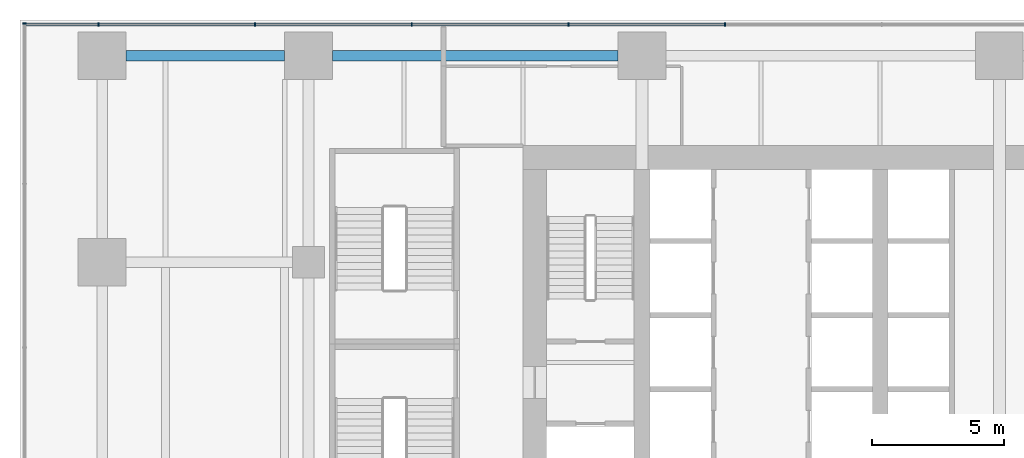
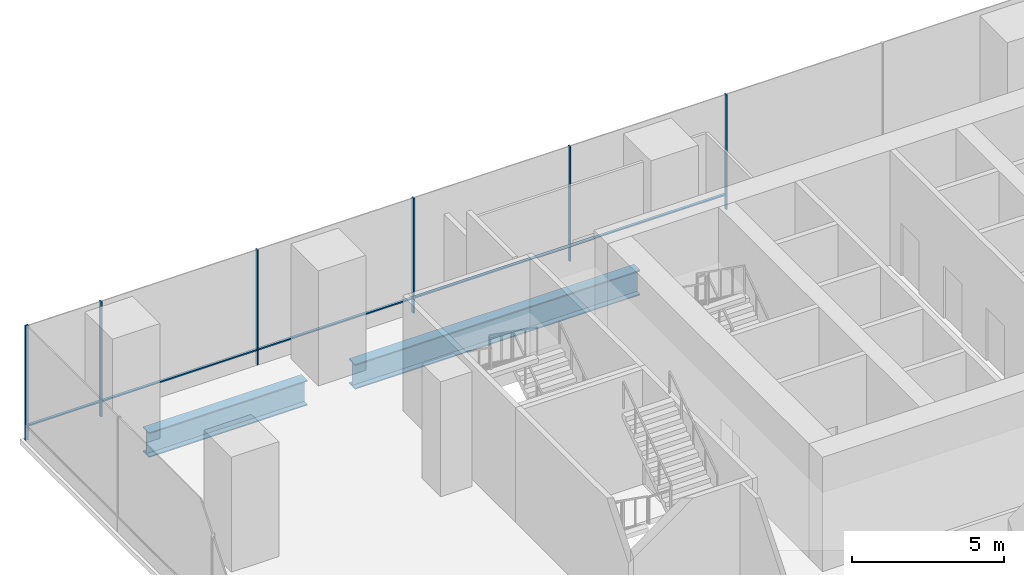
# One storey, part 11 of 28: 11 members, 2 beams, 2 elements without a shape of their own.
"""IFC4 building model written with IfcOpenShell, lengths in metres."""

from ifc_helpers import new_model, si_unit, direction, frame, origin, origin_2d, place, context, subcontext, project, spatial, rectangle, i_section, extrude, material, layer, layer_set, material_profile, profile_set, type_object, element, aggregate, save


model = new_model("IFC4")

# Units and contexts
model_context = context("Model", 3, precision=1e-05, world=origin(), true_north=direction((0.0, 1.0)))
body_context = subcontext(model_context, "Body", "Model", "MODEL_VIEW")
ifc_project = project(units=[si_unit("LENGTHUNIT", "METRE"), si_unit("AREAUNIT", "SQUARE_METRE"), si_unit("VOLUMEUNIT", "CUBIC_METRE"), si_unit("PLANEANGLEUNIT", "RADIAN"), si_unit("MASSUNIT", "GRAM", prefix="KILO")], contexts=[model_context])

# Site, building, storey
site_placement = place(None, origin())
site = spatial("IfcSite", under=ifc_project, at=site_placement, CompositionType="ELEMENT")
building_placement = place(site_placement, origin())
building = spatial("IfcBuilding", under=site, at=building_placement, Name="Rattan Terrace Tower", CompositionType="ELEMENT")
storey_placement = place(building_placement, frame((0.0, 0.0, 17.39990234375)))
storey = spatial("IfcBuildingStorey", under=building, at=storey_placement, Name="L03", CompositionType="ELEMENT", Elevation=17.39990234375)

# Beams
ifc_material_1 = material(Name="Steel S460", Category="steel")
ifc_material_profile_1 = material_profile(ifc_material_1, i_section(OverallWidth=0.39990234375, OverallDepth=1.0, WebThickness=0.01806640625, FlangeThickness=0.044921875, at=origin_2d()), Name="PG 1000x400-18-45")
ifc_profile_set_1 = profile_set([ifc_material_profile_1], Name="Steel S460")
beam_type = type_object("IfcBeamType", Name="Frame podium girder PG 1000x400-18-45", PredefinedType="USERDEFINED", material=ifc_profile_set_1)
beam_1_placement = place(storey_placement, frame((-33.0, 10.89990234375, -0.699951171875), z_axis=(1.0, 0.0, 0.0), x_axis=(0.0, 1.0, 0.0)))
element("IfcBeam", 1, at=beam_1_placement, inside=storey, type_object=beam_type, Name="gdr-L03-046", ObjectType="PODIUM GIRDER", PredefinedType="USERDEFINED", context=body_context, shape_type="SweptSolid", body=[
    extrude(i_section(OverallWidth=0.39990234375, OverallDepth=1.0, WebThickness=0.01806640625, FlangeThickness=0.044921875, at=origin_2d()), origin(), (0.0, 0.0, 1.0), 6.0),
])
beam_2_placement = place(storey_placement, frame((-25.199951171875, 10.89990234375, -0.699951171875), z_axis=(1.0, 0.0, 0.0), x_axis=(0.0, 1.0, 0.0)))
element("IfcBeam", 2, at=beam_2_placement, inside=storey, type_object=beam_type, Name="gdr-L03-047", ObjectType="PODIUM GIRDER", PredefinedType="USERDEFINED", context=body_context, shape_type="SweptSolid", body=[
    extrude(i_section(OverallWidth=0.39990234375, OverallDepth=1.0, WebThickness=0.01806640625, FlangeThickness=0.044921875, at=origin_2d()), origin(), (0.0, 0.0, 1.0), 10.800048828125),
])

# Curtain wall, members
ifc_material_2 = material(Name="Aluminium and glass", Category="aluminium")
ifc_layer = layer(ifc_material_2, 0.1201171875)
ifc_layer_set = layer_set([ifc_layer], Name="Station Storefront Curtain Wall")
curtain_wall_type = type_object("IfcCurtainWallType", Name="Station Storefront Curtain Wall", PredefinedType="NOTDEFINED", material=ifc_layer_set)
curtain_wall_1_placement = place(storey_placement, origin())
curtain_wall_1 = element("IfcCurtainWall", 3, at=curtain_wall_1_placement, inside=storey, type_object=curtain_wall_type, Name="Storefront curtain wall L03-2", PredefinedType="NOTDEFINED")
ifc_material_3 = material(Name="Aluminium", Category="aluminium")
ifc_material_profile_2 = material_profile(ifc_material_3, rectangle(XDim=0.050048828125, YDim=0.1201171875, at=origin_2d()), Name="Aluminium 50x120")
ifc_profile_set_2 = profile_set([ifc_material_profile_2], Name="Aluminium")
member_type_1 = type_object("IfcMemberType", Name="Storefront CW Mullion 50x120", PredefinedType="MULLION", material=ifc_profile_set_2)
member_1_placement = place(storey_placement, frame((-10.360107421875, 12.080078125, 0.0), z_axis=(0.0, 0.0, 1.0), x_axis=(-1.0, 0.0, 0.0)))
member_1 = element("IfcMember", 4, at=member_1_placement, type_object=member_type_1, Name="Mullion cwl-L03-002.9", PredefinedType="MULLION", context=body_context, shape_type="SweptSolid", body=[
    extrude(rectangle(XDim=0.050048828125, YDim=0.1201171875, at=origin_2d()), origin(), (0.0, 0.0, 1.0), 4.60009765625),
])
member_2_placement = place(storey_placement, frame((-16.280029296875, 12.080078125, 0.0), z_axis=(0.0, 0.0, 1.0), x_axis=(-1.0, 0.0, 0.0)))
member_2 = element("IfcMember", 5, at=member_2_placement, type_object=member_type_1, Name="Mullion cwl-L03-002.10", PredefinedType="MULLION", context=body_context, shape_type="SweptSolid", body=[
    extrude(rectangle(XDim=0.050048828125, YDim=0.1201171875, at=origin_2d()), origin(), (0.0, 0.0, 1.0), 4.60009765625),
])
member_3_placement = place(storey_placement, frame((-22.199951171875, 12.080078125, 0.0), z_axis=(0.0, 0.0, 1.0), x_axis=(-1.0, 0.0, 0.0)))
member_3 = element("IfcMember", 6, at=member_3_placement, type_object=member_type_1, Name="Mullion cwl-L03-002.11", PredefinedType="MULLION", context=body_context, shape_type="SweptSolid", body=[
    extrude(rectangle(XDim=0.050048828125, YDim=0.1201171875, at=origin_2d()), origin(), (0.0, 0.0, 1.0), 4.60009765625),
])
member_4_placement = place(storey_placement, frame((-28.1201171875, 12.080078125, 0.0), z_axis=(0.0, 0.0, 1.0), x_axis=(-1.0, 0.0, 0.0)))
member_4 = element("IfcMember", 7, at=member_4_placement, type_object=member_type_1, Name="Mullion cwl-L03-002.12", PredefinedType="MULLION", context=body_context, shape_type="SweptSolid", body=[
    extrude(rectangle(XDim=0.050048828125, YDim=0.1201171875, at=origin_2d()), origin(), (0.0, 0.0, 1.0), 4.60009765625),
])
member_5_placement = place(storey_placement, frame((-34.0400390625, 12.080078125, 0.0), z_axis=(0.0, 0.0, 1.0), x_axis=(-1.0, 0.0, 0.0)))
member_5 = element("IfcMember", 8, at=member_5_placement, type_object=member_type_1, Name="Mullion cwl-L03-002.13", PredefinedType="MULLION", context=body_context, shape_type="SweptSolid", body=[
    extrude(rectangle(XDim=0.050048828125, YDim=0.1201171875, at=origin_2d()), origin(), (0.0, 0.0, 1.0), 4.60009765625),
])

# Curtain wall, member
curtain_wall_2_placement = place(storey_placement, origin())
curtain_wall_2 = element("IfcCurtainWall", 9, at=curtain_wall_2_placement, inside=storey, type_object=curtain_wall_type, Name="Storefront curtain wall L03-3", PredefinedType="NOTDEFINED")
member_6_placement = place(storey_placement, frame((-36.830078125, 12.114990234375, 0.0), z_axis=(0.0, 0.0, 1.0), x_axis=(0.0, -1.0, 0.0)))
member_6 = element("IfcMember", 10, at=member_6_placement, type_object=member_type_1, Name="Mullion cwl-L03-003.1", PredefinedType="MULLION", context=body_context, shape_type="SweptSolid", body=[
    extrude(rectangle(XDim=0.050048828125, YDim=0.1201171875, at=origin_2d()), origin(), (0.0, 0.0, 1.0), 4.60009765625),
])
aggregate(curtain_wall_2, [member_6])

# Member
ifc_material_4 = material(Name="Aluminium", Category="aluminium")
ifc_material_profile_3 = material_profile(ifc_material_4, rectangle(XDim=0.10009765625, YDim=0.050048828125, at=origin_2d()), Name="Aluminium 100x50")
ifc_profile_set_3 = profile_set([ifc_material_profile_3], Name="Aluminium")
member_type_2 = type_object("IfcMemberType", Name="Storefront CW Transom 100x50", PredefinedType="USERDEFINED", material=ifc_profile_set_3)
member_7_placement = place(storey_placement, frame((-10.385009765625, 12.080078125, 0.60009765625), z_axis=(-1.0, 0.0, 0.0), x_axis=(0.0, -1.0, 0.0)))
member_7 = element("IfcMember", 11, at=member_7_placement, type_object=member_type_2, Name="Transom cwl-L03-002.9", ObjectType="TRANSOM", PredefinedType="USERDEFINED", context=body_context, shape_type="SweptSolid", body=[
    extrude(rectangle(XDim=0.10009765625, YDim=0.050048828125, at=origin_2d()), origin(), (0.0, 0.0, 1.0), 5.869873046875),
])

member_8_placement = place(storey_placement, frame((-16.304931640625, 12.080078125, 0.60009765625), z_axis=(-1.0, 0.0, 0.0), x_axis=(0.0, -1.0, 0.0)))
member_8 = element("IfcMember", 12, at=member_8_placement, type_object=member_type_2, Name="Transom cwl-L03-002.10", ObjectType="TRANSOM", PredefinedType="USERDEFINED", context=body_context, shape_type="SweptSolid", body=[
    extrude(rectangle(XDim=0.10009765625, YDim=0.050048828125, at=origin_2d()), origin(), (0.0, 0.0, 1.0), 5.8701171875),
])

member_9_placement = place(storey_placement, frame((-22.22509765625, 12.080078125, 0.60009765625), z_axis=(-1.0, 0.0, 0.0), x_axis=(0.0, -1.0, 0.0)))
member_9 = element("IfcMember", 13, at=member_9_placement, type_object=member_type_2, Name="Transom cwl-L03-002.11", ObjectType="TRANSOM", PredefinedType="USERDEFINED", context=body_context, shape_type="SweptSolid", body=[
    extrude(rectangle(XDim=0.10009765625, YDim=0.050048828125, at=origin_2d()), origin(), (0.0, 0.0, 1.0), 5.869873046875),
])

member_10_placement = place(storey_placement, frame((-28.14501953125, 12.080078125, 0.60009765625), z_axis=(-1.0, 0.0, 0.0), x_axis=(0.0, -1.0, 0.0)))
member_10 = element("IfcMember", 14, at=member_10_placement, type_object=member_type_2, Name="Transom cwl-L03-002.12", ObjectType="TRANSOM", PredefinedType="USERDEFINED", context=body_context, shape_type="SweptSolid", body=[
    extrude(rectangle(XDim=0.10009765625, YDim=0.050048828125, at=origin_2d()), origin(), (0.0, 0.0, 1.0), 5.869873046875),
])

member_11_placement = place(storey_placement, frame((-34.06494140625, 12.080078125, 0.60009765625), z_axis=(-1.0, 0.0, 0.0), x_axis=(0.0, -1.0, 0.0)))
member_11 = element("IfcMember", 15, at=member_11_placement, type_object=member_type_2, Name="Transom cwl-L03-002.13", ObjectType="TRANSOM", PredefinedType="USERDEFINED", context=body_context, shape_type="SweptSolid", body=[
    extrude(rectangle(XDim=0.10009765625, YDim=0.050048828125, at=origin_2d()), origin(), (0.0, 0.0, 1.0), 2.705078125),
])

aggregate(curtain_wall_1, [member_1, member_2, member_3, member_4, member_5, member_7, member_8, member_9, member_10, member_11])

save(model, "model.ifc")
